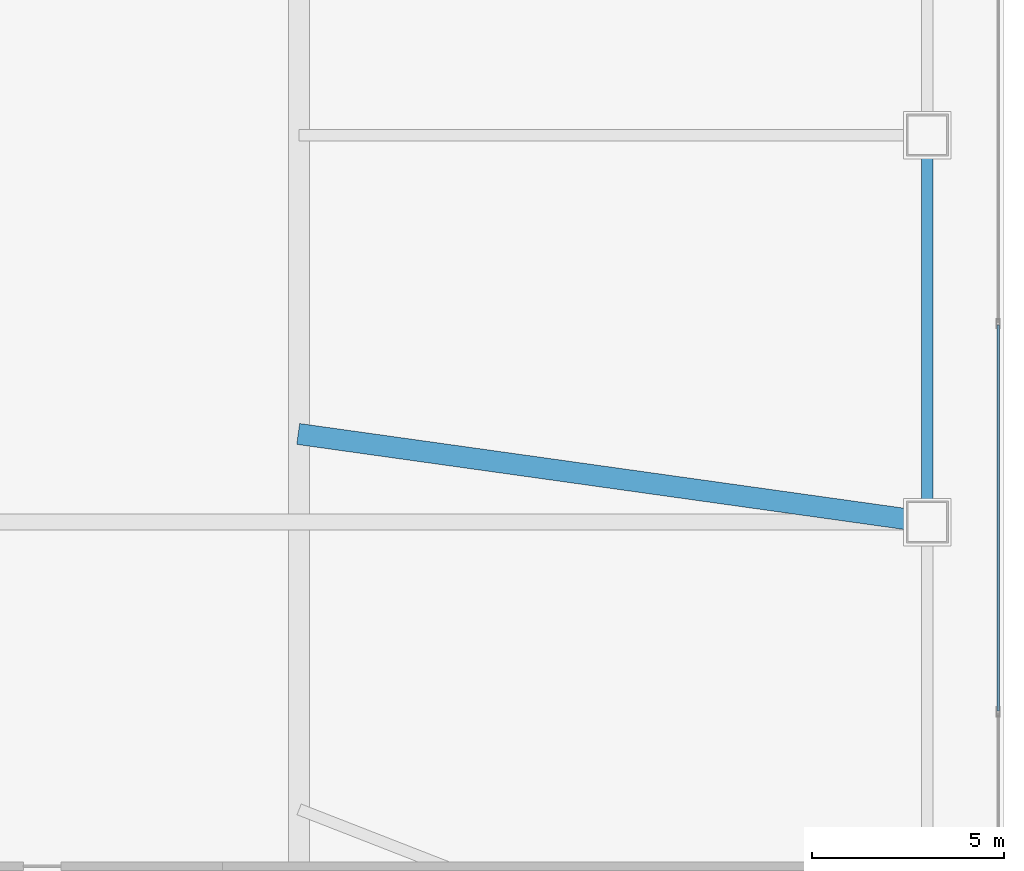
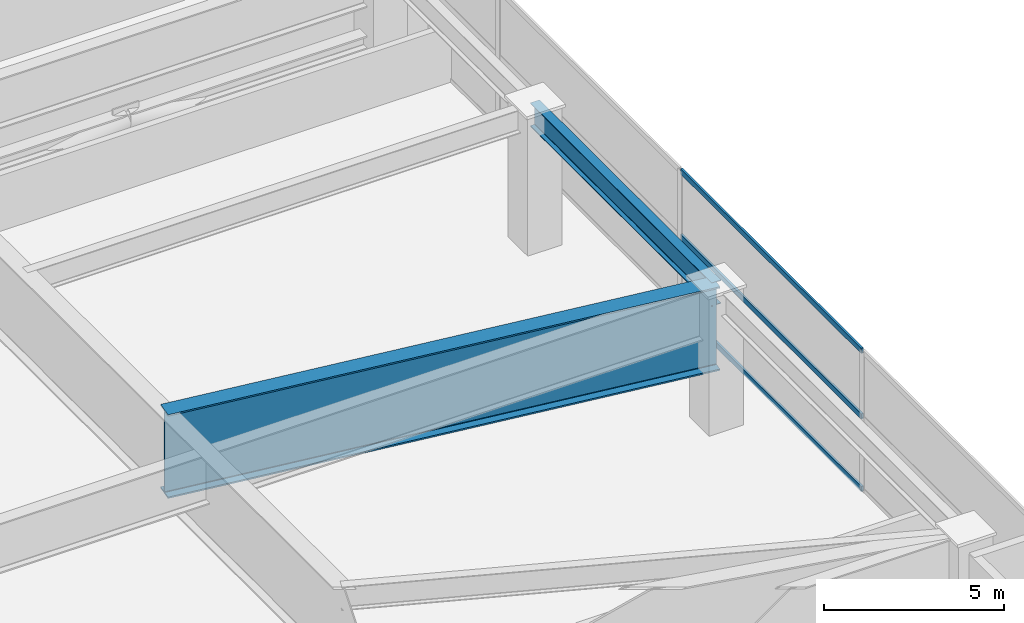
# One storey, part 23 of 36: 3 members, 2 beams, 1 element without a shape of its own.
"""IFC4 building model written with IfcOpenShell, lengths in metres."""

from ifc_helpers import new_model, si_unit, direction, frame, origin, origin_2d, place, context, subcontext, project, spatial, hollow_rectangle, i_section, extrude, material, layer, layer_set, material_profile, profile_set, type_object, element, aggregate, save


model = new_model("IFC4")

# Units and contexts
model_context = context("Model", 3, precision=1e-05, world=origin(), true_north=direction((0.0, 1.0)))
body_context = subcontext(model_context, "Body", "Model", "MODEL_VIEW")
ifc_project = project(units=[si_unit("LENGTHUNIT", "METRE"), si_unit("AREAUNIT", "SQUARE_METRE"), si_unit("VOLUMEUNIT", "CUBIC_METRE"), si_unit("PLANEANGLEUNIT", "RADIAN"), si_unit("MASSUNIT", "GRAM", prefix="KILO")], contexts=[model_context])

# Site, building, storey
site_placement = place(None, origin())
site = spatial("IfcSite", under=ifc_project, at=site_placement, CompositionType="ELEMENT")
building_placement = place(site_placement, origin())
building = spatial("IfcBuilding", under=site, at=building_placement, Name="Calvorn Quay Hotel", CompositionType="ELEMENT")
storey_placement = place(building_placement, frame((0.0, 0.0, 22.0)))
storey = spatial("IfcBuildingStorey", under=building, at=storey_placement, Name="L04", CompositionType="ELEMENT", Elevation=22.0)

# Beams
ifc_material_1 = material(Name="Steel Q390GJC", Category="steel")
ifc_material_profile_1 = material_profile(ifc_material_1, i_section(OverallWidth=0.300048828125, OverallDepth=0.800048828125, WebThickness=0.013916015625, FlangeThickness=0.02587890625, FilletRadius=0.02392578125, at=origin_2d()), Name="HN800x300x14x26")
ifc_profile_set_1 = profile_set([ifc_material_profile_1], Name="Steel Q390GJC")
beam_type_1 = type_object("IfcBeamType", Name="BM-GIRD-POD", PredefinedType="BEAM", material=ifc_profile_set_1)
beam_1_placement = place(storey_placement, frame((74.0, 17.5, 4.340087890625), z_axis=(0.0, 1.0, 0.0), x_axis=(-1.0, 0.0, 0.0)))
element("IfcBeam", 1, at=beam_1_placement, inside=storey, type_object=beam_type_1, Name="Beam BG-L04-PE2", PredefinedType="BEAM", context=body_context, shape_type="SweptSolid", body=[
    extrude(i_section(OverallWidth=0.300048828125, OverallDepth=0.800048828125, WebThickness=0.013916015625, FlangeThickness=0.02587890625, FilletRadius=0.02392578125, at=origin_2d()), origin(), (0.0, 0.0, 1.0), 10.10009765625),
])
ifc_material_2 = material(Name="Steel Q420GJC", Category="steel")
ifc_material_profile_2 = material_profile(ifc_material_2, i_section(OverallWidth=0.550048828125, OverallDepth=2.85009765625, WebThickness=0.031982421875, FlangeThickness=0.050048828125, FilletRadius=0.028076171875, at=origin_2d()), Name="HW2850x550x32x50")
ifc_profile_set_2 = profile_set([ifc_material_profile_2], Name="Steel Q420GJC")
beam_type_2 = type_object("IfcBeamType", Name="BM-XFER-MEGA", PredefinedType="BEAM", material=ifc_profile_set_2)
beam_2_placement = place(storey_placement, frame((57.575927734375, 19.800048828125, 3.31494140625), z_axis=(0.990336126527, -0.138687982519, 0.0), x_axis=(0.138687982519, 0.990336126527, 0.0)))
element("IfcBeam", 2, at=beam_2_placement, inside=storey, type_object=beam_type_2, Name="Beam BTG-L04-C-ET2B", PredefinedType="BEAM", context=body_context, shape_type="SweptSolid", body=[
    extrude(i_section(OverallWidth=0.550048828125, OverallDepth=2.85009765625, WebThickness=0.031982421875, FlangeThickness=0.050048828125, FilletRadius=0.028076171875, at=origin_2d()), origin(), (0.0, 0.0, 1.0), 16.584228515625),
])

# Curtain wall, members
ifc_material_3 = material(Name="Pale Anodised Aluminium and Low-E Glass", Category="aluminium")
ifc_layer = layer(ifc_material_3, 0.219970703125)
ifc_layer_set = layer_set([ifc_layer], Name="CW-SYS-POD")
curtain_wall_type = type_object("IfcCurtainWallType", Name="CW-SYS-POD", PredefinedType="NOTDEFINED", material=ifc_layer_set)
curtain_wall_placement = place(storey_placement, origin())
curtain_wall = element("IfcCurtainWall", 3, at=curtain_wall_placement, inside=storey, type_object=curtain_wall_type, Name="Podium Curtain Wall L04-E1", PredefinedType="NOTDEFINED")
ifc_material_4 = material(Name="Pale Anodised Aluminium 6063-T6", Category="aluminium")
ifc_material_profile_3 = material_profile(ifc_material_4, hollow_rectangle(XDim=0.070068359375, YDim=0.179931640625, WallThickness=0.00390625, at=origin_2d()), Name="ALU-T180x70x4")
ifc_profile_set_3 = profile_set([ifc_material_profile_3], Name="Pale Anodised Aluminium 6063-T6")
member_type = type_object("IfcMemberType", Name="CW-SYS-POD-TRN", PredefinedType="USERDEFINED", material=ifc_profile_set_3)
member_1_placement = place(storey_placement, frame((75.85009765625, 12.570068359375, 0.030029296875), z_axis=(0.0, 1.0, 0.0), x_axis=(-1.0, 0.0, 0.0)))
member_1 = element("IfcMember", 4, at=member_1_placement, type_object=member_type, Name="CW-L04-E1 transom 2.1", ObjectType="TRANSOM", PredefinedType="USERDEFINED", context=body_context, shape_type="SweptSolid", body=[
    extrude(hollow_rectangle(XDim=0.070068359375, YDim=0.179931640625, WallThickness=0.00390625, at=origin_2d()), origin(), (0.0, 0.0, 1.0), 10.079833984375),
])
member_2_placement = place(storey_placement, frame((75.85009765625, 12.570068359375, 2.5), z_axis=(0.0, 1.0, 0.0), x_axis=(-1.0, 0.0, 0.0)))
member_2 = element("IfcMember", 5, at=member_2_placement, type_object=member_type, Name="CW-L04-E1 transom 2.2", ObjectType="TRANSOM", PredefinedType="USERDEFINED", context=body_context, shape_type="SweptSolid", body=[
    extrude(hollow_rectangle(XDim=0.070068359375, YDim=0.179931640625, WallThickness=0.00390625, at=origin_2d()), origin(), (0.0, 0.0, 1.0), 10.079833984375),
])
member_3_placement = place(storey_placement, frame((75.85009765625, 12.570068359375, 4.72998046875), z_axis=(0.0, 1.0, 0.0), x_axis=(-1.0, 0.0, 0.0)))
member_3 = element("IfcMember", 6, at=member_3_placement, type_object=member_type, Name="CW-L04-E1 transom 2.3", ObjectType="TRANSOM", PredefinedType="USERDEFINED", context=body_context, shape_type="SweptSolid", body=[
    extrude(hollow_rectangle(XDim=0.070068359375, YDim=0.179931640625, WallThickness=0.00390625, at=origin_2d()), origin(), (0.0, 0.0, 1.0), 10.079833984375),
])
aggregate(curtain_wall, [member_1, member_2, member_3])

save(model, "model.ifc")
